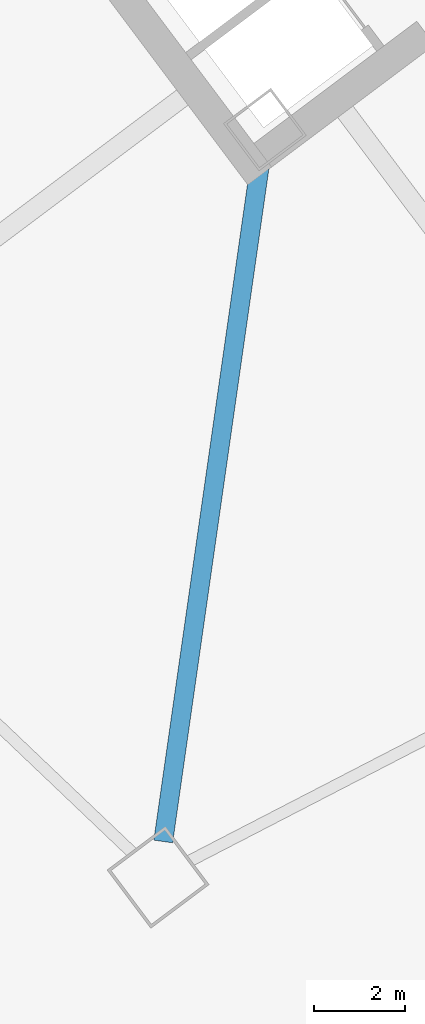
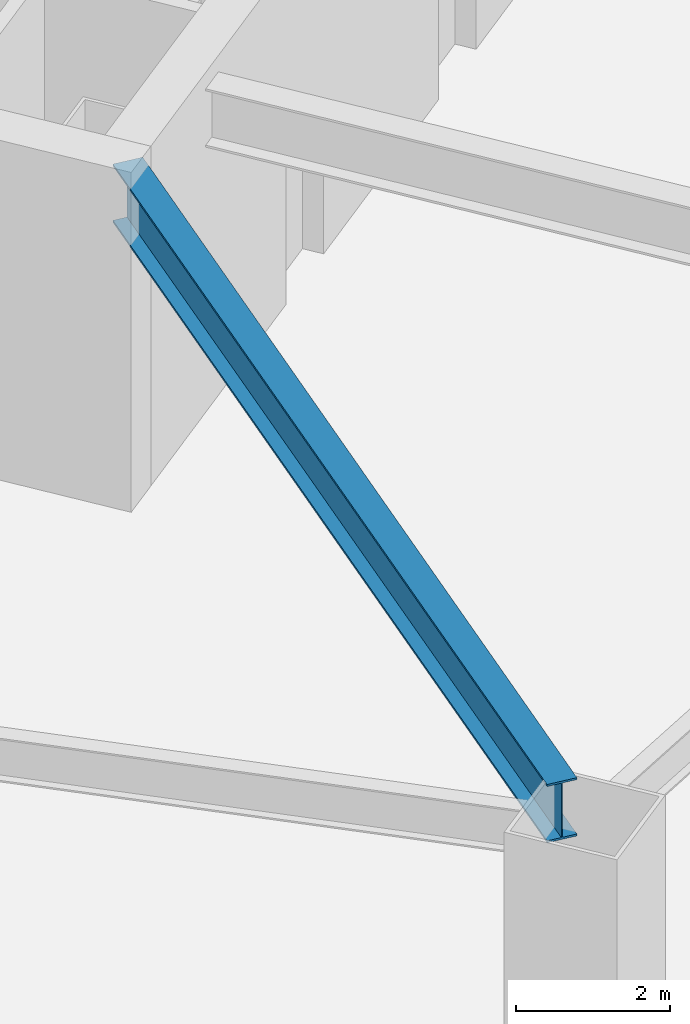
# One storey, part 19 of 48: 1 beam.
"""IFC4 building model written with IfcOpenShell, lengths in metres."""

from ifc_helpers import new_model, si_unit, direction, frame, origin, origin_2d, place, context, subcontext, project, spatial, i_section, extrude, material, material_profile, profile_set, type_object, element, save


model = new_model("IFC4")

# Units and contexts
model_context = context("Model", 3, precision=1e-05, world=origin(), true_north=direction((0.0, 1.0)))
body_context = subcontext(model_context, "Body", "Model", "MODEL_VIEW")
ifc_project = project(units=[si_unit("LENGTHUNIT", "METRE"), si_unit("AREAUNIT", "SQUARE_METRE"), si_unit("VOLUMEUNIT", "CUBIC_METRE"), si_unit("PLANEANGLEUNIT", "RADIAN"), si_unit("MASSUNIT", "GRAM", prefix="KILO")], contexts=[model_context])

# Site, building, storey
site_placement = place(None, origin())
site = spatial("IfcSite", under=ifc_project, at=site_placement, CompositionType="ELEMENT")
building_placement = place(site_placement, origin())
building = spatial("IfcBuilding", under=site, at=building_placement, Name="Tashvorn Skyway Center", CompositionType="ELEMENT")
storey_placement = place(building_placement, frame((0.0, 0.0, 10.199951171875)))
storey = spatial("IfcBuildingStorey", under=building, at=storey_placement, Name="L02", CompositionType="ELEMENT", Elevation=10.199951171875)

# Beam
ifc_material = material(Name="Steel ASTM A913 Grade 65", Category="steel")
ifc_material_profile = material_profile(ifc_material, i_section(OverallWidth=0.4189453125, OverallDepth=0.927001953125, WebThickness=0.019287109375, FlangeThickness=0.031982421875, at=origin_2d()), Name="W36X231")
ifc_profile_set = profile_set([ifc_material_profile], Name="Steel ASTM A913 Grade 65")
beam_type = type_object("IfcBeamType", Name="BM-BEAM-W36X231", PredefinedType="BEAM", material=ifc_profile_set)
beam_placement = place(storey_placement, frame((110.3525390625, 6.467041015625, 4.676513671875), z_axis=(0.141414599991, 0.989950458816, 0.0), x_axis=(-0.989950458816, 0.141414599991, 0.0)))
element("IfcBeam", 1, at=beam_placement, inside=storey, type_object=beam_type, Name="Tower 2 L02 Primary Floor Girder MC-SW", PredefinedType="BEAM", context=body_context, shape_type="SweptSolid", body=[
    extrude(i_section(OverallWidth=0.4189453125, OverallDepth=0.927001953125, WebThickness=0.019287109375, FlangeThickness=0.031982421875, at=origin_2d()), origin(), (0.0, 0.0, 1.0), 15.177001953125),
])

save(model, "model.ifc")
